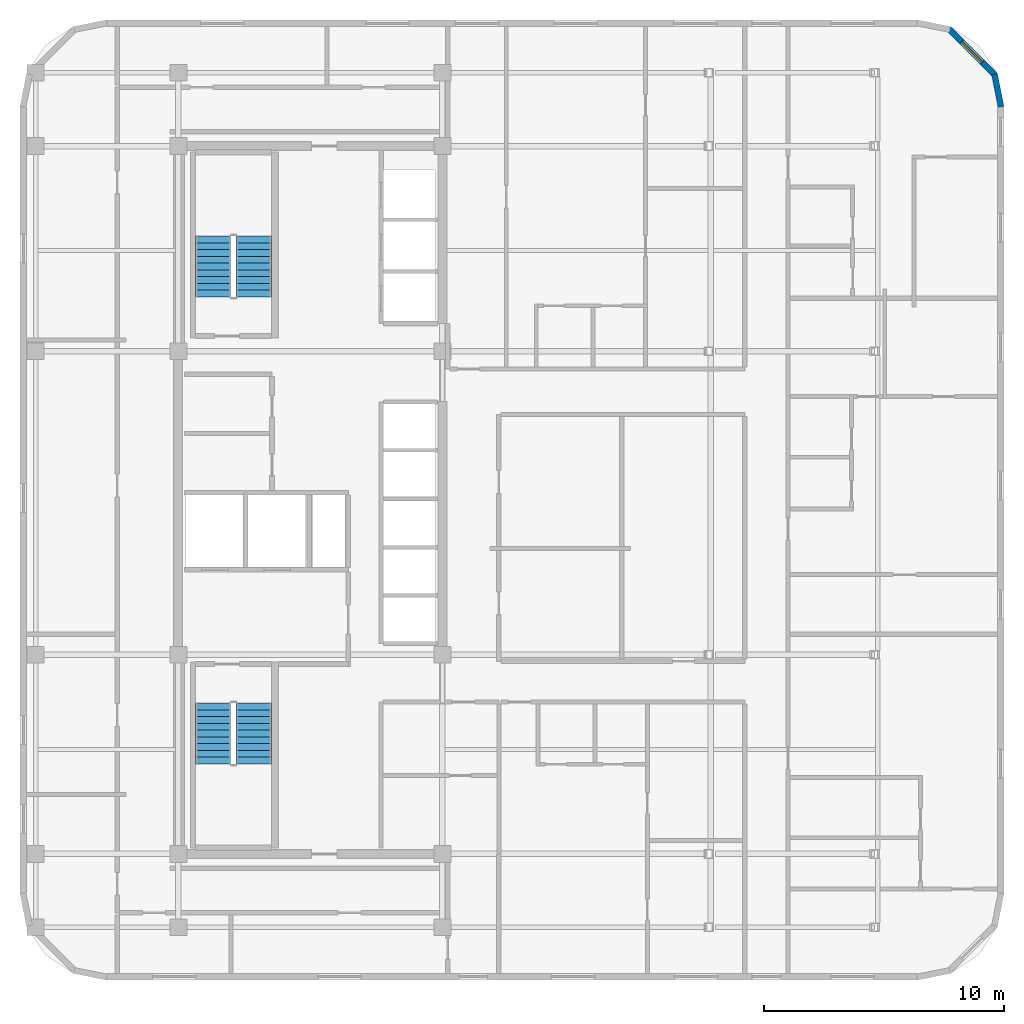
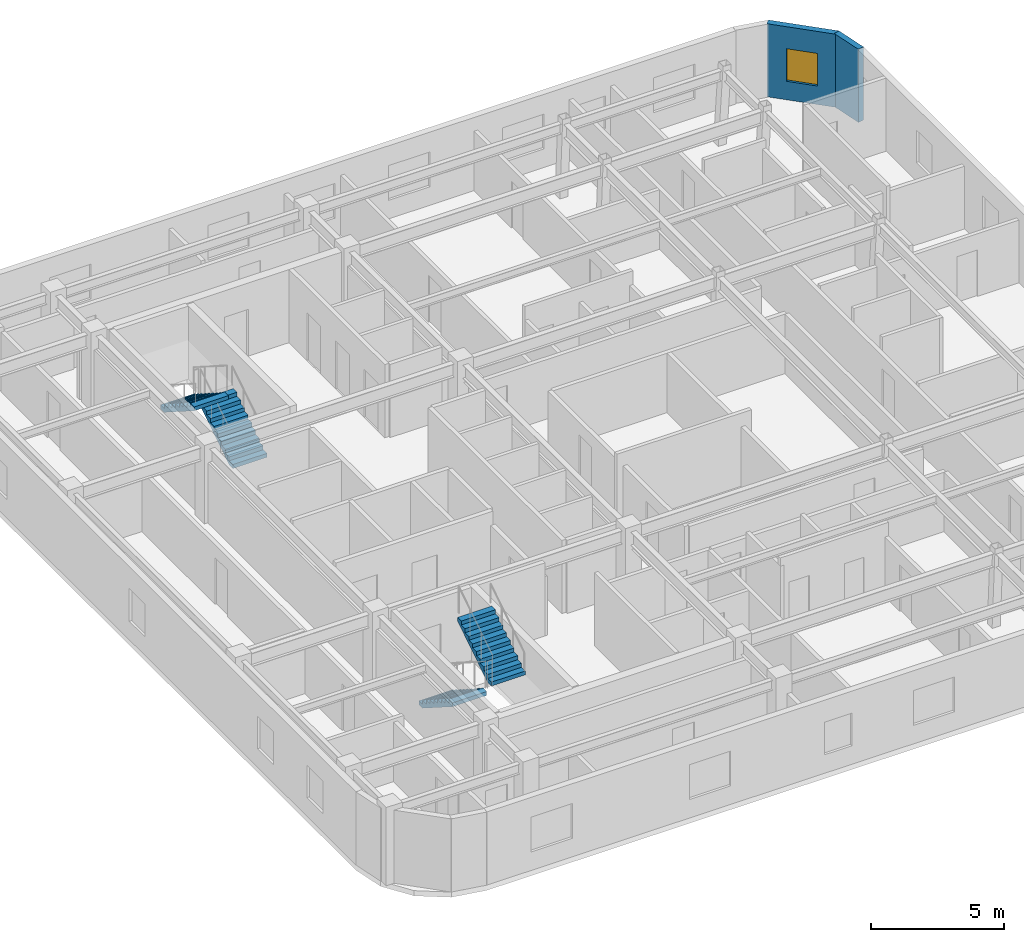
# One storey, part 7 of 8: 4 stair flights, 2 walls, 1 window, 1 opening, 2 elements without a shape of their own.
"""IFC4 building model written with IfcOpenShell, lengths in metres."""

from ifc_helpers import new_model, si_unit, direction, frame, frame_2d, origin, place, context, subcontext, project, spatial, polyline, rectangle, outline, extrude, material, layer, layer_set, type_object, element, fill, aggregate, save


model = new_model("IFC4")

# Units and contexts
model_context = context("Model", 3, precision=1e-05, world=origin(), true_north=direction((0.0, 1.0)))
body_context = subcontext(model_context, "Body", "Model", "MODEL_VIEW")
ifc_project = project(units=[si_unit("LENGTHUNIT", "METRE"), si_unit("AREAUNIT", "SQUARE_METRE"), si_unit("VOLUMEUNIT", "CUBIC_METRE"), si_unit("PLANEANGLEUNIT", "RADIAN"), si_unit("MASSUNIT", "GRAM", prefix="KILO")], contexts=[model_context])

# Site, building, storey
site_placement = place(None, origin())
site = spatial("IfcSite", under=ifc_project, at=site_placement, CompositionType="ELEMENT")
building_placement = place(site_placement, origin())
building = spatial("IfcBuilding", under=site, at=building_placement, Name="Ochreholt Gables", CompositionType="ELEMENT")
storey_placement = place(building_placement, frame((0.0, 0.0, 181.199951171875)))
storey = spatial("IfcBuildingStorey", under=building, at=storey_placement, Name="L47", CompositionType="ELEMENT", Elevation=181.199951171875)

# Wall
ifc_material_1 = material(Name="Precast concrete 40 MPa", Category="concrete")
ifc_layer = layer(ifc_material_1, 0.25, Name="Precast concrete 40 MPa")
ifc_layer_set = layer_set([ifc_layer], Name="Precast concrete 40 MPa")
wall_type = type_object("IfcWallType", Name="WALL-EXT-CNR", PredefinedType="SOLIDWALL", material=ifc_layer_set)
wall_1_placement = place(storey_placement, frame((58.475830078125, 40.383544921875, 0.0), z_axis=(0.0, 0.0, 1.0), x_axis=(-0.19496651342, 0.980809899341, 0.0)))
element("IfcWall", 1, at=wall_1_placement, inside=storey, type_object=wall_type, Name="L47 Rounded Corner Wall NE-1", PredefinedType="SOLIDWALL", context=body_context, shape_type="SweptSolid", body=[
    extrude(rectangle(XDim=1.388671875, YDim=0.25, at=frame_2d((0.6943359375, 0.0))), origin(), (0.0, 0.0, 1.0), 3.360107421875),
])

# Wall, opening, window
wall_2_placement = place(storey_placement, frame((58.23193359375, 41.695068359375, 0.0), z_axis=(0.0, 0.0, 1.0), x_axis=(-0.707106781187, 0.707106781187, 0.0)))
wall_2 = element("IfcWall", 2, at=wall_2_placement, inside=storey, type_object=wall_type, Name="L47 Rounded Corner Wall NE-2", PredefinedType="SOLIDWALL", context=body_context, shape_type="SweptSolid", body=[
    extrude(rectangle(XDim=2.7392578125, YDim=0.25, at=frame_2d((1.36962890625, 0.0))), origin(), (0.0, 0.0, 1.0), 3.360107421875),
])
opening_placement = place(wall_2_placement, frame((0.769775390625, 0.0, 0.85009765625)))
opening = element("IfcOpeningElement", 3, at=opening_placement, cuts=wall_2, Name="Opening WN-3", PredefinedType="OPENING", context=body_context, shape_type="SweptSolid", body=[
    extrude(rectangle(XDim=1.199951171875, YDim=1.5, at=frame_2d((0.60009765625, 0.75))), frame((0.0, 0.135009765625, 0.0), z_axis=(0.0, -1.0, 0.0), x_axis=(1.0, 0.0, 0.0)), (0.0, 0.0, 1.0), 0.27001953125),
])
ifc_material_2 = material(Name="Triple-Glazed Thermally Broken Aluminium Window", Category="aluminium")
window_type = type_object("IfcWindowType", Name="WIN-RES-1200", PartitioningType="SINGLE_PANEL", PredefinedType="WINDOW", material=ifc_material_2)
window_placement = place(opening_placement, origin())
window = element("IfcWindow", 4, at=window_placement, inside=storey, type_object=window_type, Name="L47 Corner Bedroom Window NE", OverallHeight=1.5, OverallWidth=1.199951171875, PartitioningType="SINGLE_PANEL", PredefinedType="WINDOW", context=body_context, shape_type="SweptSolid", body=[
    extrude(rectangle(XDim=1.199951171875, YDim=1.5, at=frame_2d((0.60009765625, 0.75))), frame((0.0, 0.030029296875, 0.0), z_axis=(0.0, -1.0, 0.0), x_axis=(1.0, 0.0, 0.0)), (0.0, 0.0, 1.0), 0.06005859375),
])
fill(opening, window)

# Stair, stair flights
ifc_material_3 = material(Name="Concrete 40 MPa", Category="concrete")
stair_type_1 = type_object("IfcStairType", Name="STAIR-CORE-ST-1", PredefinedType="HALF_TURN_STAIR", material=ifc_material_3)
stair_1_placement = place(storey_placement, origin())
stair_1 = element("IfcStair", 5, at=stair_1_placement, inside=storey, type_object=stair_type_1, Name="L47 Core Exit Stair 1", PredefinedType="HALF_TURN_STAIR")
stair_flight_type = type_object("IfcStairFlightType", Name="FLIGHT-ST-1480-1800", PredefinedType="STRAIGHT", material=ifc_material_3)
stair_flight_1_placement = place(storey_placement, frame((25.659912109375, 15.5400390625, 0.0), z_axis=(0.0, 0.0, 1.0), x_axis=(0.0, -1.0, 0.0)))
stair_flight_1 = element("IfcStairFlight", 6, at=stair_flight_1_placement, type_object=stair_flight_type, Name="ST-1 flight 1", NumberOfRisers=10, NumberOfTreads=9, PredefinedType="STRAIGHT", RiserHeight=0.18, TreadLength=0.282, context=body_context, shape_type="SweptSolid", body=[
    extrude(outline(polyline([(0.0, 0.0), (0.0, 0.179931640625), (0.281982421875, 0.179931640625), (0.281982421875, 0.360107421875), (0.56396484375, 0.360107421875), (0.56396484375, 0.5400390625), (0.845947265625, 0.5400390625), (0.845947265625, 0.719970703125), (1.1279296875, 0.719970703125), (1.1279296875, 0.89990234375), (1.409912109375, 0.89990234375), (1.409912109375, 1.080078125), (1.69189453125, 1.080078125), (1.69189453125, 1.260009765625), (1.97412109375, 1.260009765625), (1.97412109375, 1.43994140625), (2.256103515625, 1.43994140625), (2.256103515625, 1.6201171875), (2.5380859375, 1.6201171875), (2.5380859375, 1.800048828125), (2.5380859375, 1.442138671875), (0.278564453125, 0.0), (0.0, 0.0)])), frame((0.0, 0.739990234375, 0.0), z_axis=(0.0, -1.0, 0.0), x_axis=(1.0, 0.0, 0.0)), (0.0, 0.0, 1.0), 1.47998046875),
])
stair_flight_2_placement = place(storey_placement, frame((27.340087890625, 13.001953125, 1.800048828125), z_axis=(0.0, 0.0, 1.0), x_axis=(0.0, 1.0, 0.0)))
stair_flight_2 = element("IfcStairFlight", 7, at=stair_flight_2_placement, type_object=stair_flight_type, Name="ST-1 flight 2", NumberOfRisers=10, NumberOfTreads=9, PredefinedType="STRAIGHT", RiserHeight=0.18, TreadLength=0.282, context=body_context, shape_type="SweptSolid", body=[
    extrude(outline(polyline([(0.0, 0.0), (0.0, 0.179931640625), (0.281982421875, 0.179931640625), (0.281982421875, 0.360107421875), (0.56396484375, 0.360107421875), (0.56396484375, 0.5400390625), (0.845947265625, 0.5400390625), (0.845947265625, 0.719970703125), (1.1279296875, 0.719970703125), (1.1279296875, 0.89990234375), (1.409912109375, 0.89990234375), (1.409912109375, 1.080078125), (1.69189453125, 1.080078125), (1.69189453125, 1.260009765625), (1.97412109375, 1.260009765625), (1.97412109375, 1.43994140625), (2.256103515625, 1.43994140625), (2.256103515625, 1.6201171875), (2.5380859375, 1.6201171875), (2.5380859375, 1.800048828125), (2.5380859375, 1.442138671875), (0.278564453125, 0.0), (0.0, 0.0)])), frame((0.0, 0.739990234375, 0.0), z_axis=(0.0, -1.0, 0.0), x_axis=(1.0, 0.0, 0.0)), (0.0, 0.0, 1.0), 1.47998046875),
])
aggregate(stair_1, [stair_flight_1, stair_flight_2])

stair_type_2 = type_object("IfcStairType", Name="STAIR-CORE-ST-2", PredefinedType="HALF_TURN_STAIR", material=ifc_material_3)
stair_2_placement = place(storey_placement, origin())
stair_2 = element("IfcStair", 8, at=stair_2_placement, inside=storey, type_object=stair_type_2, Name="L47 Core Exit Stair 2", PredefinedType="HALF_TURN_STAIR")
stair_flight_3_placement = place(storey_placement, frame((27.340087890625, 32.4599609375, 0.0), z_axis=(0.0, 0.0, 1.0), x_axis=(0.0, 1.0, 0.0)))
stair_flight_3 = element("IfcStairFlight", 9, at=stair_flight_3_placement, type_object=stair_flight_type, Name="ST-2 flight 1", NumberOfRisers=10, NumberOfTreads=9, PredefinedType="STRAIGHT", RiserHeight=0.18, TreadLength=0.282, context=body_context, shape_type="SweptSolid", body=[
    extrude(outline(polyline([(0.0, 0.0), (0.0, 0.179931640625), (0.281982421875, 0.179931640625), (0.281982421875, 0.360107421875), (0.56396484375, 0.360107421875), (0.56396484375, 0.5400390625), (0.845947265625, 0.5400390625), (0.845947265625, 0.719970703125), (1.1279296875, 0.719970703125), (1.1279296875, 0.89990234375), (1.409912109375, 0.89990234375), (1.409912109375, 1.080078125), (1.69189453125, 1.080078125), (1.69189453125, 1.260009765625), (1.97412109375, 1.260009765625), (1.97412109375, 1.43994140625), (2.256103515625, 1.43994140625), (2.256103515625, 1.6201171875), (2.5380859375, 1.6201171875), (2.5380859375, 1.800048828125), (2.5380859375, 1.442138671875), (0.278564453125, 0.0), (0.0, 0.0)])), frame((0.0, 0.739990234375, 0.0), z_axis=(0.0, -1.0, 0.0), x_axis=(1.0, 0.0, 0.0)), (0.0, 0.0, 1.0), 1.47998046875),
])
stair_flight_4_placement = place(storey_placement, frame((25.659912109375, 34.998046875, 1.800048828125), z_axis=(0.0, 0.0, 1.0), x_axis=(0.0, -1.0, 0.0)))
stair_flight_4 = element("IfcStairFlight", 10, at=stair_flight_4_placement, type_object=stair_flight_type, Name="ST-2 flight 2", NumberOfRisers=10, NumberOfTreads=9, PredefinedType="STRAIGHT", RiserHeight=0.18, TreadLength=0.282, context=body_context, shape_type="SweptSolid", body=[
    extrude(outline(polyline([(0.0, 0.0), (0.0, 0.179931640625), (0.281982421875, 0.179931640625), (0.281982421875, 0.360107421875), (0.56396484375, 0.360107421875), (0.56396484375, 0.5400390625), (0.845947265625, 0.5400390625), (0.845947265625, 0.719970703125), (1.1279296875, 0.719970703125), (1.1279296875, 0.89990234375), (1.409912109375, 0.89990234375), (1.409912109375, 1.080078125), (1.69189453125, 1.080078125), (1.69189453125, 1.260009765625), (1.97412109375, 1.260009765625), (1.97412109375, 1.43994140625), (2.256103515625, 1.43994140625), (2.256103515625, 1.6201171875), (2.5380859375, 1.6201171875), (2.5380859375, 1.800048828125), (2.5380859375, 1.442138671875), (0.278564453125, 0.0), (0.0, 0.0)])), frame((0.0, 0.739990234375, 0.0), z_axis=(0.0, -1.0, 0.0), x_axis=(1.0, 0.0, 0.0)), (0.0, 0.0, 1.0), 1.47998046875),
])
aggregate(stair_2, [stair_flight_3, stair_flight_4])

save(model, "model.ifc")
